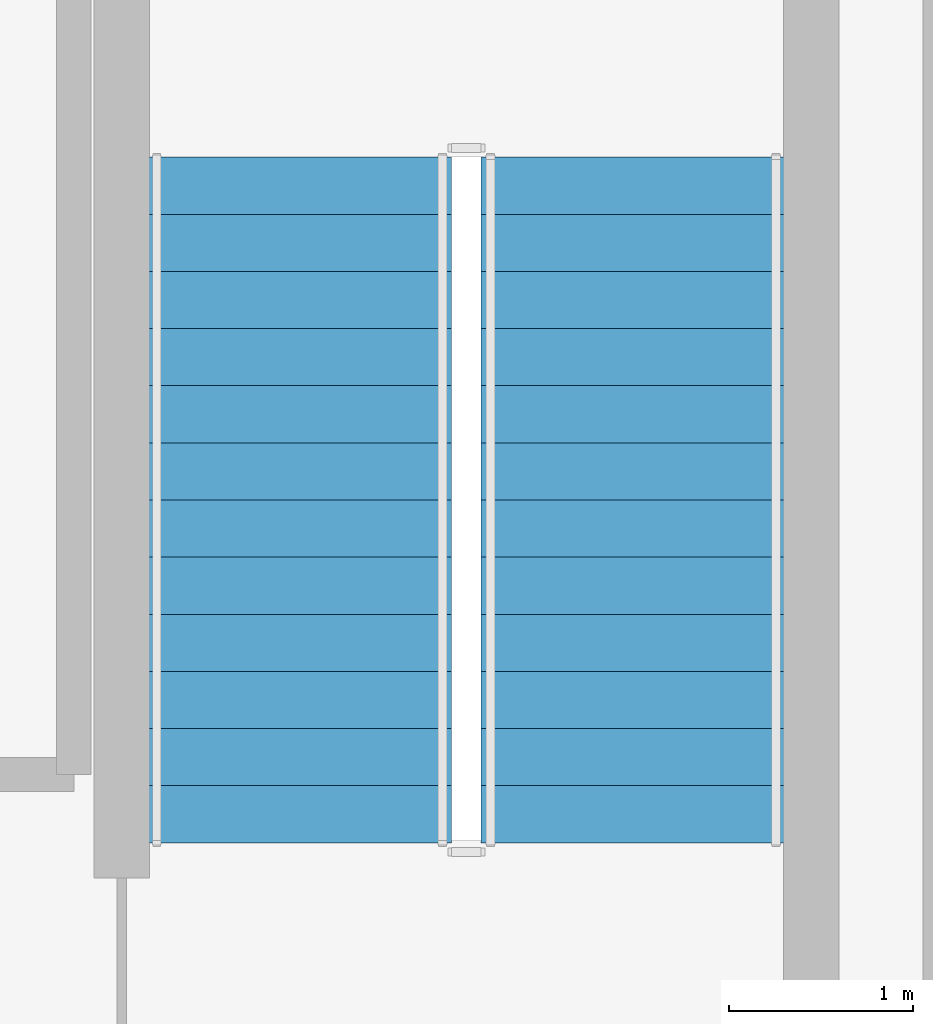
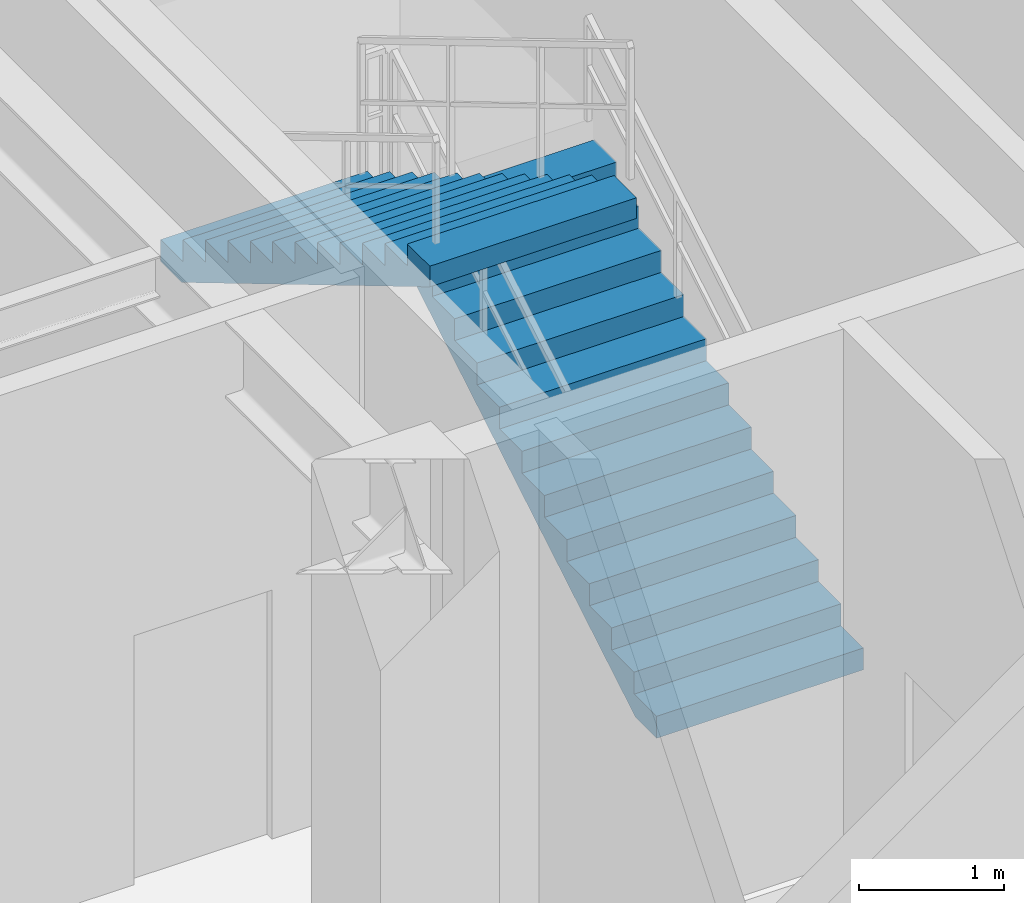
# One storey, part 6 of 10: 2 stair flights, 1 element without a shape of its own.
"""IFC4 building model written with IfcOpenShell, lengths in metres."""

import ifcopenshell
import ifcopenshell.guid

model = None  # the IFC model being written
_history = None  # IfcOwnerHistory: only IFC2X3 demands one
_inside = {}  # id of a spatial element -> (the spatial element, [elements in it])
_under = {}  # id of a project, library or spatial element -> (it, [spatial elements below it])
_declared = {}  # id of a project -> (the project, [libraries it declares])
_typed = {}  # id of a type object -> (the type object, [elements of that type])
_made_of = {}  # id of a material, layer set ... -> (it, [elements and type objects made of it])


def new_model(schema):
    """Start an empty IFC model of exactly this schema.

    Asked for "IFC4X3", IfcOpenShell would pick the latest addendum, in which some entities
    have other attributes; the version numbers below select the first issue.
    IFC2X3 requires an IfcOwnerHistory on every rooted entity: one is made here for all.
    """
    global model, _history
    if schema == "IFC4X3":
        model = ifcopenshell.file(schema_version=(4, 3, 0, 0))
    else:
        model = ifcopenshell.file(schema=schema)
    _inside.clear()
    _under.clear()
    _declared.clear()
    _typed.clear()
    _made_of.clear()
    _history = None
    if model.schema == "IFC2X3":
        org = make("IfcOrganization", Name="unknown")
        user = make(
            "IfcPersonAndOrganization",
            ThePerson=make("IfcPerson", FamilyName="unknown"),
            TheOrganization=org,
        )
        app = make(
            "IfcApplication",
            ApplicationDeveloper=org,
            Version="unknown",
            ApplicationFullName="unknown",
            ApplicationIdentifier="unknown",
        )
        _history = make(
            "IfcOwnerHistory",
            OwningUser=user,
            OwningApplication=app,
            ChangeAction="ADDED",
            CreationDate=0,
        )
    return model


def make(cls, **values):
    """One entity of the class cls with the attributes given. An attribute that is None is left unset."""
    return model.create_entity(
        cls, **{name: value for name, value in values.items() if value is not None}
    )


def rooted(cls, **values):
    """An entity with a GlobalId (a new one), such as an element, a storey or a relation."""
    return make(cls, GlobalId=ifcopenshell.guid.new(), OwnerHistory=_history, **values)


def si_unit(unit_type, name, prefix=None):
    """IfcSIUnit, for example si_unit("LENGTHUNIT", "METRE", prefix="MILLI")."""
    return make("IfcSIUnit", UnitType=unit_type, Prefix=prefix, Name=name)


def assignment(units):
    """IfcUnitAssignment: the units of a project."""
    return None if units is None else make("IfcUnitAssignment", Units=units)


def point(xyz):
    """IfcCartesianPoint."""
    return None if xyz is None else make("IfcCartesianPoint", Coordinates=xyz)


def direction(xyz):
    """IfcDirection."""
    return None if xyz is None else make("IfcDirection", DirectionRatios=xyz)


def frame(location, z_axis=None, x_axis=None):
    """IfcAxis2Placement3D, a coordinate frame: its origin and axes. An axis left out is left unset."""
    return make(
        "IfcAxis2Placement3D",
        Location=point(location),
        Axis=direction(z_axis),
        RefDirection=direction(x_axis),
    )


def origin():
    """The frame at (0, 0, 0) with its axes left unset."""
    return frame((0.0, 0.0, 0.0))


def place(relative_to, where):
    """IfcLocalPlacement: puts the frame where relative to a parent placement (None: the world)."""
    return make(
        "IfcLocalPlacement", PlacementRelTo=relative_to, RelativePlacement=where
    )


def context(
    kind, dimensions, precision=None, world=None, true_north=None, identifier=None
):
    """IfcGeometricRepresentationContext, for example the 3D "Model" context."""
    return make(
        "IfcGeometricRepresentationContext",
        ContextIdentifier=identifier,
        ContextType=kind,
        CoordinateSpaceDimension=dimensions,
        Precision=precision,
        WorldCoordinateSystem=world,
        TrueNorth=true_north,
    )


def subcontext(parent, identifier, kind, view, scale=None):
    """IfcGeometricRepresentationSubContext, for example "Body" below "Model"."""
    return make(
        "IfcGeometricRepresentationSubContext",
        ContextIdentifier=identifier,
        ContextType=kind,
        ParentContext=parent,
        TargetScale=scale,
        TargetView=view,
    )


def project(units=None, contexts=None):
    """IfcProject with its units and contexts."""
    return rooted(
        "IfcProject",
        Name="project",
        RepresentationContexts=contexts,
        UnitsInContext=assignment(units),
    )


def spatial(cls, under=None, at=None, **own):
    """A site, building, storey or space (cls), placed at a placement, below another one or the project."""
    s = rooted(cls, ObjectPlacement=at, **own)
    if under is not None:
        _under.setdefault(under.id(), (under, []))[1].append(s)
    return s


def polyline(points):
    """IfcPolyline through the points."""
    return make("IfcPolyline", Points=[point(p) for p in points])


def outline(outer, holes=None, kind="AREA"):
    """IfcArbitraryClosedProfileDef: a profile drawn as a closed curve; with holes, ...WithVoids."""
    if holes is None:
        return make("IfcArbitraryClosedProfileDef", ProfileType=kind, OuterCurve=outer)
    return make(
        "IfcArbitraryProfileDefWithVoids",
        ProfileType=kind,
        OuterCurve=outer,
        InnerCurves=holes,
    )


def extrude(swept, where, along, depth):
    """IfcExtrudedAreaSolid: the profile swept, set in the frame where, extruded along a direction by depth."""
    return make(
        "IfcExtrudedAreaSolid",
        SweptArea=swept,
        Position=where,
        ExtrudedDirection=direction(along),
        Depth=depth,
    )


def shape(context_of_items, identifier, shape_type, items):
    """IfcShapeRepresentation: the items that make up one representation, for example the "Body"."""
    return make(
        "IfcShapeRepresentation",
        ContextOfItems=context_of_items,
        RepresentationIdentifier=identifier,
        RepresentationType=shape_type,
        Items=items,
    )


def material(Name=None, Category=None):
    """IfcMaterial."""
    return make("IfcMaterial", Name=Name, Category=Category)


def made_of(thing, what):
    """Note that an element or type object is made of a material, layer set ...; save() writes the relation."""
    if what is not None:
        _made_of.setdefault(what.id(), (what, []))[1].append(thing)
    return thing


def type_object(cls, material=None, **own):
    """A type object (cls), such as IfcWallType, which elements share."""
    return made_of(rooted(cls, **own), material)


def element(
    cls,
    number,
    at=None,
    inside=None,
    cuts=None,
    type_object=None,
    material=None,
    context=None,
    identifier="Body",
    shape_type=None,
    held_by="IfcProductDefinitionShape",
    body=None,
    shapes=None,
    **own,
):
    """One element of the class cls, such as IfcWall. Its Tag is "e" and its number.

    at: its placement. inside: the storey or other place that contains it. cuts: it is an
    opening in that element (IfcRelVoidsElement). A single representation is given by context,
    identifier, shape_type and body (its items); several are given by shapes. held_by: the class
    of the entity that holds the representations. save() writes the other relations.
    """
    e = rooted(cls, Tag="e%d" % number, ObjectPlacement=at, **own)
    if body is not None:
        shapes = [shape(context, identifier, shape_type, body)]
    if shapes is not None:
        e.Representation = make(held_by, Representations=shapes)
    if inside is not None:
        _inside.setdefault(inside.id(), (inside, []))[1].append(e)
    if cuts is not None:
        rooted(
            "IfcRelVoidsElement", RelatingBuildingElement=cuts, RelatedOpeningElement=e
        )
    if type_object is not None:
        _typed.setdefault(type_object.id(), (type_object, []))[1].append(e)
    return made_of(e, material)


def aggregate(whole, parts):
    """IfcRelAggregates: a whole, such as a stair, and the parts it consists of."""
    return rooted("IfcRelAggregates", RelatingObject=whole, RelatedObjects=parts)


def save(model, path):
    """Write the relations noted so far, then the file.

    IfcRelAggregates (storeys below a building ...), IfcRelContainedInSpatialStructure (elements
    in a storey), IfcRelDefinesByType, IfcRelAssociatesMaterial and IfcRelDeclares: one each for
    every whole, place, type object, material and project.
    """
    for whole, parts in _under.values():
        aggregate(whole, parts)
    for where, things in _inside.values():
        rooted(
            "IfcRelContainedInSpatialStructure",
            RelatedElements=things,
            RelatingStructure=where,
        )
    for kind, things in _typed.values():
        rooted("IfcRelDefinesByType", RelatedObjects=things, RelatingType=kind)
    for what, things in _made_of.values():
        rooted("IfcRelAssociatesMaterial", RelatedObjects=things, RelatingMaterial=what)
    for by, libraries in _declared.values():
        rooted("IfcRelDeclares", RelatingContext=by, RelatedDefinitions=libraries)
    model.write(path)


model = new_model("IFC4")

# Units and contexts
model_context = context("Model", 3, precision=1e-05, world=origin(), true_north=direction((0.0, 1.0)))
body_context = subcontext(model_context, "Body", "Model", "MODEL_VIEW")
ifc_project = project(units=[si_unit("LENGTHUNIT", "METRE"), si_unit("AREAUNIT", "SQUARE_METRE"), si_unit("VOLUMEUNIT", "CUBIC_METRE"), si_unit("PLANEANGLEUNIT", "RADIAN"), si_unit("MASSUNIT", "GRAM", prefix="KILO")], contexts=[model_context])

# Site, building, storey
site_placement = place(None, origin())
site = spatial("IfcSite", under=ifc_project, at=site_placement, CompositionType="ELEMENT")
building_placement = place(site_placement, origin())
building = spatial("IfcBuilding", under=site, at=building_placement, Name="Kundavana Baori Tower", CompositionType="ELEMENT")
storey_placement = place(building_placement, frame((0.0, 0.0, 204.10009765625)))
storey = spatial("IfcBuildingStorey", under=building, at=storey_placement, Name="L50", CompositionType="ELEMENT", Elevation=204.10009765625)

# Stair, stair flights
ifc_material_1 = material(Name="Concrete C40/50", Category="concrete")
stair_type = type_object("IfcStairType", Name="STR-DOG-1650", PredefinedType="HALF_TURN_STAIR", material=ifc_material_1)
stair_placement = place(storey_placement, origin())
stair = element("IfcStair", 1, at=stair_placement, inside=storey, type_object=stair_type, Name="L50 Protected Exit Stair ST3", PredefinedType="HALF_TURN_STAIR")
ifc_material_2 = material(Name="Concrete C40/50", Category="concrete")
stair_flight_type = type_object("IfcStairFlightType", Name="SFL-RC-1650", PredefinedType="STRAIGHT", material=ifc_material_2)
stair_flight_1_placement = place(storey_placement, frame((37.7548828125, 34.949951171875, 0.0), z_axis=(0.0, 0.0, 1.0), x_axis=(0.0, 1.0, 0.0)))
stair_flight_1 = element("IfcStairFlight", 2, at=stair_flight_1_placement, type_object=stair_flight_type, Name="ST3 flight 1", NumberOfRisers=13, NumberOfTreads=12, PredefinedType="STRAIGHT", RiserHeight=0.184615385, TreadLength=0.31, context=body_context, shape_type="SweptSolid", body=[
    extrude(outline(polyline([(0.0, 0.0), (0.0, 0.1845703125), (0.31005859375, 0.1845703125), (0.31005859375, 0.369140625), (0.6201171875, 0.369140625), (0.6201171875, 0.553955078125), (0.929931640625, 0.553955078125), (0.929931640625, 0.738525390625), (1.239990234375, 0.738525390625), (1.239990234375, 0.923095703125), (1.550048828125, 0.923095703125), (1.550048828125, 1.107666015625), (1.860107421875, 1.107666015625), (1.860107421875, 1.292236328125), (2.169921875, 1.292236328125), (2.169921875, 1.476806640625), (2.47998046875, 1.476806640625), (2.47998046875, 1.66162109375), (2.7900390625, 1.66162109375), (2.7900390625, 1.84619140625), (3.10009765625, 1.84619140625), (3.10009765625, 2.03076171875), (3.409912109375, 2.03076171875), (3.409912109375, 2.21533203125), (3.719970703125, 2.21533203125), (3.719970703125, 2.39990234375), (3.719970703125, 2.041015625), (0.29296875, 0.0), (0.0, 0.0)])), frame((0.0, 0.824951171875, 0.0), z_axis=(0.0, -1.0, 0.0), x_axis=(1.0, 0.0, 0.0)), (0.0, 0.0, 1.0), 1.64990234375),
])
stair_flight_2_placement = place(storey_placement, frame((35.945068359375, 38.669921875, 2.39990234375), z_axis=(0.0, 0.0, 1.0), x_axis=(0.0, -1.0, 0.0)))
stair_flight_2 = element("IfcStairFlight", 3, at=stair_flight_2_placement, type_object=stair_flight_type, Name="ST3 flight 2", NumberOfRisers=13, NumberOfTreads=12, PredefinedType="STRAIGHT", RiserHeight=0.184615385, TreadLength=0.31, context=body_context, shape_type="SweptSolid", body=[
    extrude(outline(polyline([(0.0, 0.0), (0.0, 0.1845703125), (0.31005859375, 0.1845703125), (0.31005859375, 0.369140625), (0.6201171875, 0.369140625), (0.6201171875, 0.553955078125), (0.929931640625, 0.553955078125), (0.929931640625, 0.738525390625), (1.239990234375, 0.738525390625), (1.239990234375, 0.923095703125), (1.550048828125, 0.923095703125), (1.550048828125, 1.107666015625), (1.860107421875, 1.107666015625), (1.860107421875, 1.292236328125), (2.169921875, 1.292236328125), (2.169921875, 1.476806640625), (2.47998046875, 1.476806640625), (2.47998046875, 1.66162109375), (2.7900390625, 1.66162109375), (2.7900390625, 1.84619140625), (3.10009765625, 1.84619140625), (3.10009765625, 2.03076171875), (3.409912109375, 2.03076171875), (3.409912109375, 2.21533203125), (3.719970703125, 2.21533203125), (3.719970703125, 2.39990234375), (3.719970703125, 2.041015625), (0.29296875, 0.0), (0.0, 0.0)])), frame((0.0, 0.824951171875, 0.0), z_axis=(0.0, -1.0, 0.0), x_axis=(1.0, 0.0, 0.0)), (0.0, 0.0, 1.0), 1.64990234375),
])
aggregate(stair, [stair_flight_1, stair_flight_2])

save(model, "model.ifc")
